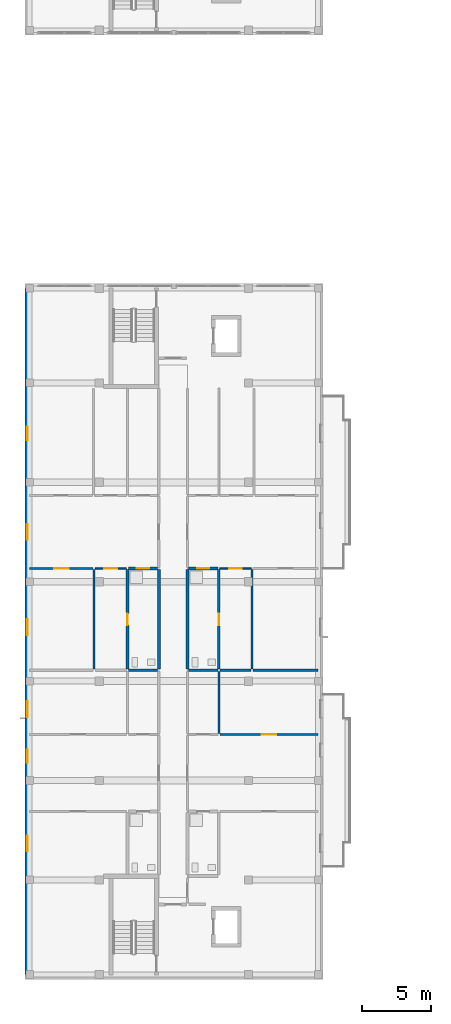
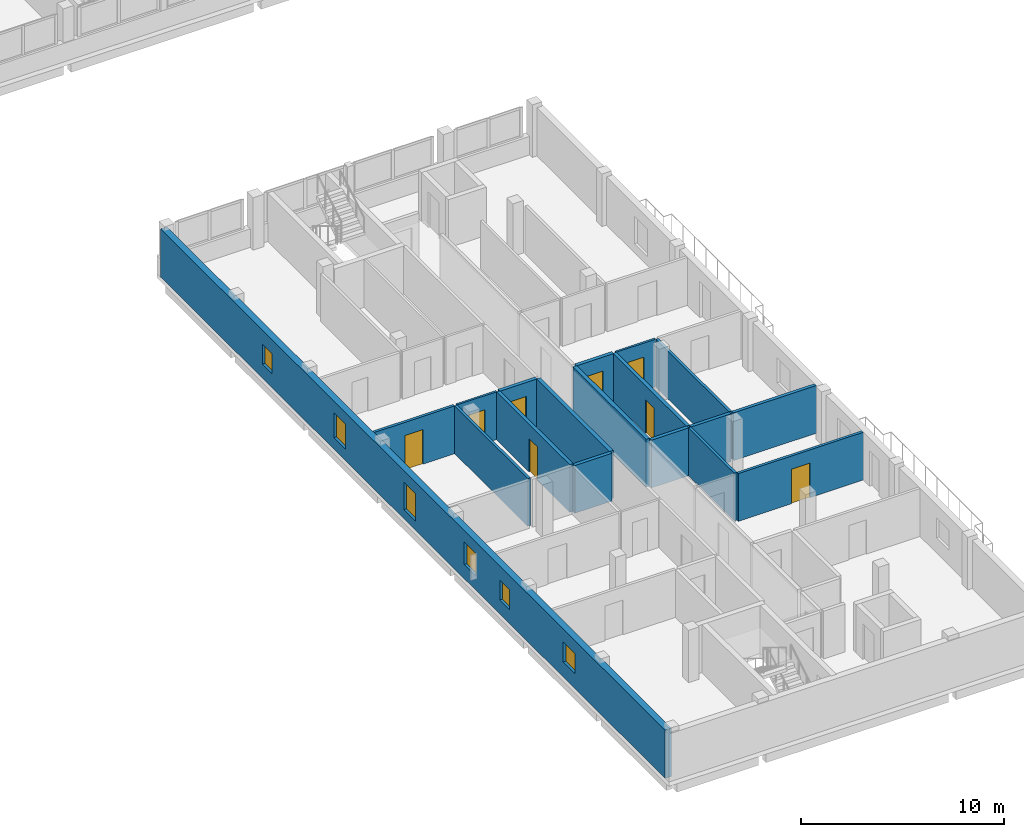
# One storey, part 14 of 41: 18 walls, 8 doors, 6 windows, 14 openings.
"""IFC4 building model written with IfcOpenShell, lengths in metres."""

from ifc_helpers import new_model, si_unit, derived_unit, direction, frame, frame_2d, origin, place, context, subcontext, project, spatial, rectangle, extrude, material, layer, layer_set, type_object, element, fill, save


model = new_model("IFC4")

# Units and contexts
model_context = context("Model", 3, precision=1e-05, world=origin(), true_north=direction((0.0, 1.0)))
body_context = subcontext(model_context, "Body", "Model", "MODEL_VIEW")
ifc_project = project(units=[si_unit("LENGTHUNIT", "METRE"), si_unit("AREAUNIT", "SQUARE_METRE"), si_unit("VOLUMEUNIT", "CUBIC_METRE"), si_unit("PLANEANGLEUNIT", "RADIAN"), si_unit("MASSUNIT", "GRAM", prefix="KILO"), derived_unit("THERMALTRANSMITTANCEUNIT", [(si_unit("MASSUNIT", "GRAM", prefix="KILO"), 1), (si_unit("TIMEUNIT", "SECOND"), -3), (si_unit("THERMODYNAMICTEMPERATUREUNIT", "KELVIN"), -1)])], contexts=[model_context])

# Site, building, storey
site_placement = place(None, origin())
site = spatial("IfcSite", under=ifc_project, at=site_placement, CompositionType="ELEMENT")
building_placement = place(site_placement, origin())
building = spatial("IfcBuilding", under=site, at=building_placement, Name="Ochrekiln Boulevard Commons", CompositionType="ELEMENT")
storey_placement = place(building_placement, frame((0.0, 0.0, 21.52490234375)))
storey = spatial("IfcBuildingStorey", under=building, at=storey_placement, Name="L06", CompositionType="ELEMENT", Elevation=21.52490234375)

# Wall, openings, windows
ifc_material_1 = material(Name="Iron-spot brown clinker brick masonry ASTM C216 Grade SW", Category="masonry")
ifc_layer_1 = layer(ifc_material_1, 0.364990234375)
ifc_layer_set_1 = layer_set([ifc_layer_1], Name="Iron-spot brown clinker brick masonry ASTM C216 Grade SW")
wall_type_1 = type_object("IfcWallType", Name="WL-EXT-IRON-365", PredefinedType="SOLIDWALL", material=ifc_layer_set_1)
wall_1_placement = place(storey_placement, frame((0.1826171875, 0.364990234375, 0.0), z_axis=(0.0, 0.0, 1.0), x_axis=(0.0, 1.0, 0.0)))
wall_1 = element("IfcWall", 1, at=wall_1_placement, inside=storey, type_object=wall_type_1, Name="Block D L06 W Exterior Wall", PredefinedType="SOLIDWALL", context=body_context, shape_type="SweptSolid", body=[
    extrude(rectangle(XDim=49.669921875, YDim=0.364990234375, at=frame_2d((24.8349609375, 0.0))), origin(), (0.0, 0.0, 1.0), 2.89013671875),
])
opening_1_placement = place(wall_1_placement, frame((15.324951171875, 0.0, 0.85009765625)))
opening_1 = element("IfcOpeningElement", 2, at=opening_1_placement, cuts=wall_1, Name="Opening W-01", PredefinedType="OPENING", context=body_context, shape_type="SweptSolid", body=[
    extrude(rectangle(XDim=0.949951171875, YDim=1.199951171875, at=frame_2d((0.47509765625, 0.60009765625))), frame((0.0, 0.1923828125, 0.0), z_axis=(0.0, -1.0, 0.0), x_axis=(1.0, 0.0, 0.0)), (0.0, 0.0, 1.0), 0.385009765625),
])
opening_2_placement = place(wall_1_placement, frame((8.89697265625, 0.0, 0.89990234375)))
opening_2 = element("IfcOpeningElement", 3, at=opening_2_placement, cuts=wall_1, Name="Opening W-11", PredefinedType="OPENING", context=body_context, shape_type="SweptSolid", body=[
    extrude(rectangle(XDim=1.14990234375, YDim=1.199951171875, at=frame_2d((0.574951171875, 0.60009765625))), frame((0.0, 0.1923828125, 0.0), z_axis=(0.0, -1.0, 0.0), x_axis=(1.0, 0.0, 0.0)), (0.0, 0.0, 1.0), 0.385009765625),
])
opening_3_placement = place(wall_1_placement, frame((18.635009765625, 0.0, 0.85498046875)))
opening_3 = element("IfcOpeningElement", 4, at=opening_3_placement, cuts=wall_1, Name="Opening W-12", PredefinedType="OPENING", context=body_context, shape_type="SweptSolid", body=[
    extrude(rectangle(XDim=1.14990234375, YDim=1.35009765625, at=frame_2d((0.574951171875, 0.675048828125))), frame((0.0, 0.1923828125, 0.0), z_axis=(0.0, -1.0, 0.0), x_axis=(1.0, 0.0, 0.0)), (0.0, 0.0, 1.0), 0.385009765625),
])
opening_4_placement = place(wall_1_placement, frame((31.4599609375, 0.0, 0.705078125)))
opening_4 = element("IfcOpeningElement", 5, at=opening_4_placement, cuts=wall_1, Name="Opening W-13", PredefinedType="OPENING", context=body_context, shape_type="SweptSolid", body=[
    extrude(rectangle(XDim=1.14990234375, YDim=1.5, at=frame_2d((0.574951171875, 0.75))), frame((0.0, 0.1923828125, 0.0), z_axis=(0.0, -1.0, 0.0), x_axis=(1.0, 0.0, 0.0)), (0.0, 0.0, 1.0), 0.385009765625),
])
opening_5_placement = place(wall_1_placement, frame((24.56201171875, 0.0, 0.554931640625)))
opening_5 = element("IfcOpeningElement", 6, at=opening_5_placement, cuts=wall_1, Name="Opening W-14", PredefinedType="OPENING", context=body_context, shape_type="SweptSolid", body=[
    extrude(rectangle(XDim=1.14990234375, YDim=1.64990234375, at=frame_2d((0.574951171875, 0.824951171875))), frame((0.0, 0.1923828125, 0.0), z_axis=(0.0, -1.0, 0.0), x_axis=(1.0, 0.0, 0.0)), (0.0, 0.0, 1.0), 0.385009765625),
])
opening_6_placement = place(wall_1_placement, frame((38.695068359375, 0.0, 0.85009765625)))
opening_6 = element("IfcOpeningElement", 7, at=opening_6_placement, cuts=wall_1, Name="Opening W-01", PredefinedType="OPENING", context=body_context, shape_type="SweptSolid", body=[
    extrude(rectangle(XDim=0.949951171875, YDim=1.199951171875, at=frame_2d((0.47509765625, 0.60009765625))), frame((0.0, 0.1923828125, 0.0), z_axis=(0.0, -1.0, 0.0), x_axis=(1.0, 0.0, 0.0)), (0.0, 0.0, 1.0), 0.385009765625),
])
ifc_material_2 = material(Name="Thermally broken aluminium-clad oak frame", Category="aluminium")
window_type_1 = type_object("IfcWindowType", Name="WIN-EXT-01", PartitioningType="SINGLE_PANEL", PredefinedType="WINDOW", material=ifc_material_2)
window_1_placement = place(opening_1_placement, origin())
window_1 = element("IfcWindow", 8, at=window_1_placement, inside=storey, type_object=window_type_1, Name="Block D L06 Punched Masonry Window W-01", OverallHeight=1.199951171875, OverallWidth=0.949951171875, PartitioningType="SINGLE_PANEL", PredefinedType="WINDOW", context=body_context, shape_type="SweptSolid", body=[
    extrude(rectangle(XDim=0.949951171875, YDim=1.199951171875, at=frame_2d((0.47509765625, 0.60009765625))), frame((0.0, 0.030029296875, 0.0), z_axis=(0.0, -1.0, 0.0), x_axis=(1.0, 0.0, 0.0)), (0.0, 0.0, 1.0), 0.06005859375),
])
fill(opening_1, window_1)
window_2_placement = place(opening_6_placement, origin())
window_2 = element("IfcWindow", 9, at=window_2_placement, inside=storey, type_object=window_type_1, Name="Block D L06 Punched Masonry Window W-01", OverallHeight=1.199951171875, OverallWidth=0.949951171875, PartitioningType="SINGLE_PANEL", PredefinedType="WINDOW", context=body_context, shape_type="SweptSolid", body=[
    extrude(rectangle(XDim=0.949951171875, YDim=1.199951171875, at=frame_2d((0.47509765625, 0.60009765625))), frame((0.0, 0.030029296875, 0.0), z_axis=(0.0, -1.0, 0.0), x_axis=(1.0, 0.0, 0.0)), (0.0, 0.0, 1.0), 0.06005859375),
])
fill(opening_6, window_2)
window_type_2 = type_object("IfcWindowType", Name="WIN-EXT-11", PartitioningType="SINGLE_PANEL", PredefinedType="WINDOW", material=ifc_material_2)
window_3_placement = place(opening_2_placement, origin())
window_3 = element("IfcWindow", 10, at=window_3_placement, inside=storey, type_object=window_type_2, Name="Block D L06 Punched Masonry Window W-11", OverallHeight=1.199951171875, OverallWidth=1.14990234375, PartitioningType="SINGLE_PANEL", PredefinedType="WINDOW", context=body_context, shape_type="SweptSolid", body=[
    extrude(rectangle(XDim=1.14990234375, YDim=1.199951171875, at=frame_2d((0.574951171875, 0.60009765625))), frame((0.0, 0.030029296875, 0.0), z_axis=(0.0, -1.0, 0.0), x_axis=(1.0, 0.0, 0.0)), (0.0, 0.0, 1.0), 0.06005859375),
])
fill(opening_2, window_3)
window_type_3 = type_object("IfcWindowType", Name="WIN-EXT-12", PartitioningType="SINGLE_PANEL", PredefinedType="WINDOW", material=ifc_material_2)
window_4_placement = place(opening_3_placement, origin())
window_4 = element("IfcWindow", 11, at=window_4_placement, inside=storey, type_object=window_type_3, Name="Block D L06 Punched Masonry Window W-12", OverallHeight=1.35009765625, OverallWidth=1.14990234375, PartitioningType="SINGLE_PANEL", PredefinedType="WINDOW", context=body_context, shape_type="SweptSolid", body=[
    extrude(rectangle(XDim=1.14990234375, YDim=1.35009765625, at=frame_2d((0.574951171875, 0.675048828125))), frame((0.0, 0.030029296875, 0.0), z_axis=(0.0, -1.0, 0.0), x_axis=(1.0, 0.0, 0.0)), (0.0, 0.0, 1.0), 0.06005859375),
])
fill(opening_3, window_4)
window_type_4 = type_object("IfcWindowType", Name="WIN-EXT-13", PartitioningType="SINGLE_PANEL", PredefinedType="WINDOW", material=ifc_material_2)
window_5_placement = place(opening_4_placement, origin())
window_5 = element("IfcWindow", 12, at=window_5_placement, inside=storey, type_object=window_type_4, Name="Block D L06 Punched Masonry Window W-13", OverallHeight=1.5, OverallWidth=1.14990234375, PartitioningType="SINGLE_PANEL", PredefinedType="WINDOW", context=body_context, shape_type="SweptSolid", body=[
    extrude(rectangle(XDim=1.14990234375, YDim=1.5, at=frame_2d((0.574951171875, 0.75))), frame((0.0, 0.030029296875, 0.0), z_axis=(0.0, -1.0, 0.0), x_axis=(1.0, 0.0, 0.0)), (0.0, 0.0, 1.0), 0.06005859375),
])
fill(opening_4, window_5)
window_type_5 = type_object("IfcWindowType", Name="WIN-EXT-14", PartitioningType="SINGLE_PANEL", PredefinedType="WINDOW", material=ifc_material_2)
window_6_placement = place(opening_5_placement, origin())
window_6 = element("IfcWindow", 13, at=window_6_placement, inside=storey, type_object=window_type_5, Name="Block D L06 Punched Masonry Window W-14", OverallHeight=1.64990234375, OverallWidth=1.14990234375, PartitioningType="SINGLE_PANEL", PredefinedType="WINDOW", context=body_context, shape_type="SweptSolid", body=[
    extrude(rectangle(XDim=1.14990234375, YDim=1.64990234375, at=frame_2d((0.574951171875, 0.824951171875))), frame((0.0, 0.030029296875, 0.0), z_axis=(0.0, -1.0, 0.0), x_axis=(1.0, 0.0, 0.0)), (0.0, 0.0, 1.0), 0.06005859375),
])
fill(opening_5, window_6)

# Wall
ifc_material_3 = material(Name="Moisture-resistant cementitious tile backer wall")
ifc_layer_2 = layer(ifc_material_3, 0.199951171875)
ifc_layer_set_2 = layer_set([ifc_layer_2], Name="Moisture-resistant cementitious tile backer wall")
wall_type_2 = type_object("IfcWallType", Name="WL-PLM-200", PredefinedType="PLUMBINGWALL", material=ifc_layer_set_2)
wall_2_placement = place(storey_placement, frame((7.52001953125, 22.384033203125, 0.0), z_axis=(0.0, 0.0, 1.0), x_axis=(1.0, 0.0, 0.0)))
element("IfcWall", 14, at=wall_2_placement, inside=storey, type_object=wall_type_2, Name="L06 Interior Wall W-PW200", PredefinedType="PLUMBINGWALL", context=body_context, shape_type="SweptSolid", body=[
    extrude(rectangle(XDim=2.10791015625, YDim=0.199951171875, at=frame_2d((1.053955078125, 0.0))), origin(), (0.0, 0.0, 1.0), 2.8701171875),
])

# Wall, opening, door
wall_3_placement = place(storey_placement, frame((7.52001953125, 29.75, 0.0), z_axis=(0.0, 0.0, 1.0), x_axis=(1.0, 0.0, 0.0)))
wall_3 = element("IfcWall", 15, at=wall_3_placement, inside=storey, type_object=wall_type_2, Name="L06 Interior Wall W-PW200", PredefinedType="PLUMBINGWALL", context=body_context, shape_type="SweptSolid", body=[
    extrude(rectangle(XDim=2.10791015625, YDim=0.199951171875, at=frame_2d((1.053955078125, 0.0))), origin(), (0.0, 0.0, 1.0), 2.8701171875),
])
opening_7_placement = place(wall_3_placement, frame((0.60498046875, 0.0, 0.0)))
opening_7 = element("IfcOpeningElement", 16, at=opening_7_placement, cuts=wall_3, Name="Opening D-L06-878", PredefinedType="OPENING", context=body_context, shape_type="SweptSolid", body=[
    extrude(rectangle(XDim=0.889892578125, YDim=2.030029296875, at=frame_2d((0.44482421875, 1.01513671875))), frame((0.0, 0.10986328125, 0.0), z_axis=(0.0, -1.0, 0.0), x_axis=(1.0, 0.0, 0.0)), (0.0, 0.0, 1.0), 0.219970703125),
])
ifc_material_4 = material(Name="Solid core architectural oak door leaf")
door_type_1 = type_object("IfcDoorType", Name="DR-INT-BTH-089", OperationType="NOTDEFINED", PredefinedType="DOOR", material=ifc_material_4)
door_1_placement = place(opening_7_placement, frame((0.889892578125, 0.0, 0.0), z_axis=(0.0, 0.0, 1.0), x_axis=(-1.0, 0.0, 0.0)))
door_1 = element("IfcDoor", 17, at=door_1_placement, inside=storey, type_object=door_type_1, Name="L06 Interior Door to Apartment Bathroom", OperationType="SINGLE_SWING_RIGHT", OverallHeight=2.030029296875, OverallWidth=0.889892578125, PredefinedType="DOOR", context=body_context, shape_type="SweptSolid", body=[
    extrude(rectangle(XDim=0.889892578125, YDim=2.030029296875, at=frame_2d((0.44482421875, 1.01513671875))), frame((0.0, 0.02490234375, 0.0), z_axis=(0.0, -1.0, 0.0), x_axis=(1.0, 0.0, 0.0)), (0.0, 0.0, 1.0), 0.050048828125),
])
fill(opening_7, door_1)

wall_4_placement = place(storey_placement, frame((7.43994140625, 22.47412109375, 0.0), z_axis=(0.0, 0.0, 1.0), x_axis=(0.0, 1.0, 0.0)))
wall_4 = element("IfcWall", 18, at=wall_4_placement, inside=storey, type_object=wall_type_2, Name="L06 Interior Wall W-PW200", PredefinedType="PLUMBINGWALL", context=body_context, shape_type="SweptSolid", body=[
    extrude(rectangle(XDim=7.2158203125, YDim=0.199951171875, at=frame_2d((3.60791015625, 0.0))), origin(), (0.0, 0.0, 1.0), 2.8701171875),
])
opening_8_placement = place(wall_4_placement, frame((3.173095703125, 0.0, 0.0)))
opening_8 = element("IfcOpeningElement", 19, at=opening_8_placement, cuts=wall_4, Name="Opening D-L06-884", PredefinedType="OPENING", context=body_context, shape_type="SweptSolid", body=[
    extrude(rectangle(XDim=0.85009765625, YDim=2.010009765625, at=frame_2d((0.425048828125, 1.0048828125))), frame((0.0, 0.10986328125, 0.0), z_axis=(0.0, -1.0, 0.0), x_axis=(1.0, 0.0, 0.0)), (0.0, 0.0, 1.0), 0.219970703125),
])
door_type_2 = type_object("IfcDoorType", Name="DR-INT-KIT-085", OperationType="NOTDEFINED", PredefinedType="DOOR", material=ifc_material_4)
door_2_placement = place(opening_8_placement, frame((0.85009765625, 0.0, 0.0), z_axis=(0.0, 0.0, 1.0), x_axis=(-1.0, 0.0, 0.0)))
door_2 = element("IfcDoor", 20, at=door_2_placement, inside=storey, type_object=door_type_2, Name="L06 Interior Door to Apartment Bathroom", OperationType="SINGLE_SWING_RIGHT", OverallHeight=2.010009765625, OverallWidth=0.85009765625, PredefinedType="DOOR", context=body_context, shape_type="SweptSolid", body=[
    extrude(rectangle(XDim=0.85009765625, YDim=2.010009765625, at=frame_2d((0.425048828125, 1.0048828125))), frame((0.0, 0.02490234375, 0.0), z_axis=(0.0, -1.0, 0.0), x_axis=(1.0, 0.0, 0.0)), (0.0, 0.0, 1.0), 0.050048828125),
])
fill(opening_8, door_2)

# Wall
wall_5_placement = place(storey_placement, frame((11.8720703125, 22.384033203125, 0.0), z_axis=(0.0, 0.0, 1.0), x_axis=(1.0, 0.0, 0.0)))
element("IfcWall", 21, at=wall_5_placement, inside=storey, type_object=wall_type_2, Name="L06 Interior Wall W-PW200", PredefinedType="PLUMBINGWALL", context=body_context, shape_type="SweptSolid", body=[
    extrude(rectangle(XDim=2.113037109375, YDim=0.199951171875, at=frame_2d((1.056640625, 0.0))), origin(), (0.0, 0.0, 1.0), 2.8701171875),
])

# Wall, opening, door
wall_6_placement = place(storey_placement, frame((11.8720703125, 29.75, 0.0), z_axis=(0.0, 0.0, 1.0), x_axis=(1.0, 0.0, 0.0)))
wall_6 = element("IfcWall", 22, at=wall_6_placement, inside=storey, type_object=wall_type_2, Name="L06 Interior Wall W-PW200", PredefinedType="PLUMBINGWALL", context=body_context, shape_type="SweptSolid", body=[
    extrude(rectangle(XDim=2.10791015625, YDim=0.199951171875, at=frame_2d((1.053955078125, 0.0))), origin(), (0.0, 0.0, 1.0), 2.8701171875),
])
opening_9_placement = place(wall_6_placement, frame((0.613037109375, 0.0, 0.0)))
opening_9 = element("IfcOpeningElement", 23, at=opening_9_placement, cuts=wall_6, Name="Opening D-L06-889", PredefinedType="OPENING", context=body_context, shape_type="SweptSolid", body=[
    extrude(rectangle(XDim=0.889892578125, YDim=2.030029296875, at=frame_2d((0.44482421875, 1.01513671875))), frame((0.0, 0.10986328125, 0.0), z_axis=(0.0, -1.0, 0.0), x_axis=(1.0, 0.0, 0.0)), (0.0, 0.0, 1.0), 0.219970703125),
])
door_3_placement = place(opening_9_placement, frame((0.889892578125, 0.0, 0.0), z_axis=(0.0, 0.0, 1.0), x_axis=(-1.0, 0.0, 0.0)))
door_3 = element("IfcDoor", 24, at=door_3_placement, inside=storey, type_object=door_type_1, Name="L06 Interior Door to Apartment Bathroom", OperationType="SINGLE_SWING_LEFT", OverallHeight=2.030029296875, OverallWidth=0.889892578125, PredefinedType="DOOR", context=body_context, shape_type="SweptSolid", body=[
    extrude(rectangle(XDim=0.889892578125, YDim=2.030029296875, at=frame_2d((0.44482421875, 1.01513671875))), frame((0.0, 0.02490234375, 0.0), z_axis=(0.0, -1.0, 0.0), x_axis=(1.0, 0.0, 0.0)), (0.0, 0.0, 1.0), 0.050048828125),
])
fill(opening_9, door_3)

wall_7_placement = place(storey_placement, frame((14.06005859375, 22.47412109375, 0.0), z_axis=(0.0, 0.0, 1.0), x_axis=(0.0, 1.0, 0.0)))
wall_7 = element("IfcWall", 25, at=wall_7_placement, inside=storey, type_object=wall_type_2, Name="L06 Interior Wall W-PW200", PredefinedType="PLUMBINGWALL", context=body_context, shape_type="SweptSolid", body=[
    extrude(rectangle(XDim=7.2158203125, YDim=0.199951171875, at=frame_2d((3.60791015625, 0.0))), origin(), (0.0, 0.0, 1.0), 2.8701171875),
])
opening_10_placement = place(wall_7_placement, frame((3.173095703125, 0.0, 0.0)))
opening_10 = element("IfcOpeningElement", 26, at=opening_10_placement, cuts=wall_7, Name="Opening D-L06-895", PredefinedType="OPENING", context=body_context, shape_type="SweptSolid", body=[
    extrude(rectangle(XDim=0.85009765625, YDim=2.010009765625, at=frame_2d((0.425048828125, 1.0048828125))), frame((0.0, 0.10986328125, 0.0), z_axis=(0.0, -1.0, 0.0), x_axis=(1.0, 0.0, 0.0)), (0.0, 0.0, 1.0), 0.219970703125),
])
door_4_placement = place(opening_10_placement, origin())
door_4 = element("IfcDoor", 27, at=door_4_placement, inside=storey, type_object=door_type_2, Name="L06 Interior Door to Apartment Bathroom", OperationType="SINGLE_SWING_LEFT", OverallHeight=2.010009765625, OverallWidth=0.85009765625, PredefinedType="DOOR", context=body_context, shape_type="SweptSolid", body=[
    extrude(rectangle(XDim=0.85009765625, YDim=2.010009765625, at=frame_2d((0.425048828125, 1.0048828125))), frame((0.0, 0.02490234375, 0.0), z_axis=(0.0, -1.0, 0.0), x_axis=(1.0, 0.0, 0.0)), (0.0, 0.0, 1.0), 0.050048828125),
])
fill(opening_10, door_4)

# Walls
ifc_layer_3 = layer(ifc_material_3, 0.219970703125)
ifc_layer_set_3 = layer_set([ifc_layer_3], Name="Moisture-resistant cementitious tile backer wall")
wall_type_3 = type_object("IfcWallType", Name="WL-PLM-220", PredefinedType="PLUMBINGWALL", material=ifc_layer_set_3)
for number, where, z_axis, x_axis, name in (
    (28, (9.7099609375, 22.47412109375, 0.0), (0.0, 0.0, 1.0), (0.0, 1.0, 0.0), "L06 Interior Wall W-PW220"),
    (29, (11.7900390625, 22.47412109375, 0.0), (0.0, 0.0, 1.0), (0.0, 1.0, 0.0), "L06 Interior Wall W-PW220"),
):
    element("IfcWall", number, at=place(storey_placement, frame(where, z_axis=z_axis, x_axis=x_axis)), inside=storey, type_object=wall_type_3, Name=name, PredefinedType="PLUMBINGWALL", context=body_context, shape_type="SweptSolid", body=[
        extrude(rectangle(XDim=7.19580078125, YDim=0.219970703125, at=frame_2d((3.597900390625, 0.0))), origin(), (0.0, 0.0, 1.0), 2.8701171875),
    ])
ifc_material_5 = material(Name="Fire-rated Type X gypsum board on steel studs", Category="steel")
ifc_layer_4 = layer(ifc_material_5, 0.179931640625)
ifc_layer_set_4 = layer_set([ifc_layer_4], Name="Fire-rated Type X gypsum board on steel studs")
wall_type_4 = type_object("IfcWallType", Name="WL-PT-DEM-180", PredefinedType="PARTITIONING", material=ifc_layer_set_4)
wall_8_placement = place(storey_placement, frame((16.550048828125, 22.384033203125, 0.0), z_axis=(0.0, 0.0, 1.0), x_axis=(1.0, 0.0, 0.0)))
element("IfcWall", 30, at=wall_8_placement, inside=storey, type_object=wall_type_4, Name="L06 Interior Wall W-PD180", PredefinedType="PARTITIONING", context=body_context, shape_type="SweptSolid", body=[
    extrude(rectangle(XDim=4.699951171875, YDim=0.179931640625, at=frame_2d((2.35009765625, 0.0))), origin(), (0.0, 0.0, 1.0), 2.8701171875),
])
wall_9_placement = place(storey_placement, frame((14.135009765625, 22.384033203125, 0.0), z_axis=(0.0, 0.0, 1.0), x_axis=(1.0, 0.0, 0.0)))
element("IfcWall", 31, at=wall_9_placement, inside=storey, type_object=wall_type_4, Name="L06 Interior Wall W-PD180", PredefinedType="PARTITIONING", context=body_context, shape_type="SweptSolid", body=[
    extrude(rectangle(XDim=2.2548828125, YDim=0.179931640625, at=frame_2d((1.12744140625, 0.0))), origin(), (0.0, 0.0, 1.0), 2.8701171875),
])

# Wall, opening, door
ifc_layer_5 = layer(ifc_material_5, 0.1201171875)
ifc_layer_set_5 = layer_set([ifc_layer_5], Name="Fire-rated Type X gypsum board on steel studs")
wall_type_5 = type_object("IfcWallType", Name="WL-PT-LGT-120", PredefinedType="PARTITIONING", material=ifc_layer_set_5)
wall_10_placement = place(storey_placement, frame((5.110107421875, 29.75, 0.0), z_axis=(0.0, 0.0, 1.0), x_axis=(1.0, 0.0, 0.0)))
wall_10 = element("IfcWall", 32, at=wall_10_placement, inside=storey, type_object=wall_type_5, Name="L06 Interior Wall W-PL120", PredefinedType="PARTITIONING", context=body_context, shape_type="SweptSolid", body=[
    extrude(rectangle(XDim=2.25, YDim=0.1201171875, at=frame_2d((1.125, 0.0))), origin(), (0.0, 0.0, 1.0), 2.8701171875),
])
opening_11_placement = place(wall_10_placement, frame((0.6650390625, 0.0, 0.0)))
opening_11 = element("IfcOpeningElement", 33, at=opening_11_placement, cuts=wall_10, Name="Opening D-L06-881", PredefinedType="OPENING", context=body_context, shape_type="SweptSolid", body=[
    extrude(rectangle(XDim=0.919921875, YDim=2.02001953125, at=frame_2d((0.4599609375, 1.010009765625))), frame((0.0, 0.070068359375, 0.0), z_axis=(0.0, -1.0, 0.0), x_axis=(1.0, 0.0, 0.0)), (0.0, 0.0, 1.0), 0.14013671875),
])
door_type_3 = type_object("IfcDoorType", Name="DR-INT-KIT-092", OperationType="NOTDEFINED", PredefinedType="DOOR", material=ifc_material_4)
door_5_placement = place(opening_11_placement, frame((0.919921875, 0.0, 0.0), z_axis=(0.0, 0.0, 1.0), x_axis=(-1.0, 0.0, 0.0)))
door_5 = element("IfcDoor", 34, at=door_5_placement, inside=storey, type_object=door_type_3, Name="L06 Interior Door to Apartment Walk-In Wardrobe", OperationType="SINGLE_SWING_LEFT", OverallHeight=2.02001953125, OverallWidth=0.919921875, PredefinedType="DOOR", context=body_context, shape_type="SweptSolid", body=[
    extrude(rectangle(XDim=0.919921875, YDim=2.02001953125, at=frame_2d((0.4599609375, 1.010009765625))), frame((0.0, 0.02490234375, 0.0), z_axis=(0.0, -1.0, 0.0), x_axis=(1.0, 0.0, 0.0)), (0.0, 0.0, 1.0), 0.050048828125),
])
fill(opening_11, door_5)

wall_11_placement = place(storey_placement, frame((14.139892578125, 29.75, 0.0), z_axis=(0.0, 0.0, 1.0), x_axis=(1.0, 0.0, 0.0)))
wall_11 = element("IfcWall", 35, at=wall_11_placement, inside=storey, type_object=wall_type_5, Name="L06 Interior Wall W-PL120", PredefinedType="PARTITIONING", context=body_context, shape_type="SweptSolid", body=[
    extrude(rectangle(XDim=2.25, YDim=0.1201171875, at=frame_2d((1.125, 0.0))), origin(), (0.0, 0.0, 1.0), 2.8701171875),
])
opening_12_placement = place(wall_11_placement, frame((0.6650390625, 0.0, 0.0)))
opening_12 = element("IfcOpeningElement", 36, at=opening_12_placement, cuts=wall_11, Name="Opening D-L06-892", PredefinedType="OPENING", context=body_context, shape_type="SweptSolid", body=[
    extrude(rectangle(XDim=0.919921875, YDim=2.02001953125, at=frame_2d((0.4599609375, 1.010009765625))), frame((0.0, 0.070068359375, 0.0), z_axis=(0.0, -1.0, 0.0), x_axis=(1.0, 0.0, 0.0)), (0.0, 0.0, 1.0), 0.14013671875),
])
door_6_placement = place(opening_12_placement, frame((0.919921875, 0.0, 0.0), z_axis=(0.0, 0.0, 1.0), x_axis=(-1.0, 0.0, 0.0)))
door_6 = element("IfcDoor", 37, at=door_6_placement, inside=storey, type_object=door_type_3, Name="L06 Interior Door to Apartment Walk-In Wardrobe", OperationType="SINGLE_SWING_RIGHT", OverallHeight=2.02001953125, OverallWidth=0.919921875, PredefinedType="DOOR", context=body_context, shape_type="SweptSolid", body=[
    extrude(rectangle(XDim=0.919921875, YDim=2.02001953125, at=frame_2d((0.4599609375, 1.010009765625))), frame((0.0, 0.02490234375, 0.0), z_axis=(0.0, -1.0, 0.0), x_axis=(1.0, 0.0, 0.0)), (0.0, 0.0, 1.0), 0.050048828125),
])
fill(opening_12, door_6)

ifc_layer_6 = layer(ifc_material_5, 0.14990234375)
ifc_layer_set_6 = layer_set([ifc_layer_6], Name="Fire-rated Type X gypsum board on steel studs")
wall_type_6 = type_object("IfcWallType", Name="WL-PT-STD-150", PredefinedType="PARTITIONING", material=ifc_layer_set_6)
wall_12_placement = place(storey_placement, frame((0.35009765625, 29.75, 0.0), z_axis=(0.0, 0.0, 1.0), x_axis=(1.0, 0.0, 0.0)))
wall_12 = element("IfcWall", 38, at=wall_12_placement, inside=storey, type_object=wall_type_6, Name="L06 Interior Wall W-PS150", PredefinedType="PARTITIONING", context=body_context, shape_type="SweptSolid", body=[
    extrude(rectangle(XDim=4.599853515625, YDim=0.14990234375, at=frame_2d((2.2998046875, 0.0))), origin(), (0.0, 0.0, 1.0), 2.8701171875),
])
opening_13_placement = place(wall_12_placement, frame((1.780029296875, 0.0, 0.0)))
opening_13 = element("IfcOpeningElement", 39, at=opening_13_placement, cuts=wall_12, Name="Opening D-L06-880", PredefinedType="OPENING", context=body_context, shape_type="SweptSolid", body=[
    extrude(rectangle(XDim=1.0400390625, YDim=2.080078125, at=frame_2d((0.52001953125, 1.0400390625))), frame((0.0, 0.0849609375, 0.0), z_axis=(0.0, -1.0, 0.0), x_axis=(1.0, 0.0, 0.0)), (0.0, 0.0, 1.0), 0.169921875),
])
door_type_4 = type_object("IfcDoorType", Name="DR-INT-BED-104", OperationType="NOTDEFINED", PredefinedType="DOOR", material=ifc_material_4)
door_7_placement = place(opening_13_placement, frame((1.0400390625, 0.0, 0.0), z_axis=(0.0, 0.0, 1.0), x_axis=(-1.0, 0.0, 0.0)))
door_7 = element("IfcDoor", 40, at=door_7_placement, inside=storey, type_object=door_type_4, Name="L06 Interior Door to Primary Apartment Bedroom", OperationType="SINGLE_SWING_RIGHT", OverallHeight=2.080078125, OverallWidth=1.0400390625, PredefinedType="DOOR", context=body_context, shape_type="SweptSolid", body=[
    extrude(rectangle(XDim=1.0400390625, YDim=2.080078125, at=frame_2d((0.52001953125, 1.0400390625))), frame((0.0, 0.02490234375, 0.0), z_axis=(0.0, -1.0, 0.0), x_axis=(1.0, 0.0, 0.0)), (0.0, 0.0, 1.0), 0.050048828125),
])
fill(opening_13, door_7)

# Wall
wall_13_placement = place(storey_placement, frame((5.030029296875, 22.47412109375, 0.0), z_axis=(0.0, 0.0, 1.0), x_axis=(0.0, 1.0, 0.0)))
element("IfcWall", 41, at=wall_13_placement, inside=storey, type_object=wall_type_6, Name="L06 Interior Wall W-PS150", PredefinedType="PARTITIONING", context=body_context, shape_type="SweptSolid", body=[
    extrude(rectangle(XDim=7.2158203125, YDim=0.14990234375, at=frame_2d((3.60791015625, 0.0))), origin(), (0.0, 0.0, 1.0), 2.8701171875),
])

# Wall, opening, door
wall_14_placement = place(storey_placement, frame((14.139892578125, 17.739013671875, 0.0), z_axis=(0.0, 0.0, 1.0), x_axis=(1.0, 0.0, 0.0)))
wall_14 = element("IfcWall", 42, at=wall_14_placement, inside=storey, type_object=wall_type_6, Name="L06 Interior Wall W-PS150", PredefinedType="PARTITIONING", context=body_context, shape_type="SweptSolid", body=[
    extrude(rectangle(XDim=7.110107421875, YDim=0.14990234375, at=frame_2d((3.55517578125, 0.0))), origin(), (0.0, 0.0, 1.0), 2.8701171875),
])
opening_14_placement = place(wall_14_placement, frame((3.034912109375, 0.0, 0.0)))
opening_14 = element("IfcOpeningElement", 43, at=opening_14_placement, cuts=wall_14, Name="Opening D-L06-888", PredefinedType="OPENING", context=body_context, shape_type="SweptSolid", body=[
    extrude(rectangle(XDim=1.0400390625, YDim=2.080078125, at=frame_2d((0.52001953125, 1.0400390625))), frame((0.0, 0.0849609375, 0.0), z_axis=(0.0, -1.0, 0.0), x_axis=(1.0, 0.0, 0.0)), (0.0, 0.0, 1.0), 0.169921875),
])
door_8_placement = place(opening_14_placement, origin())
door_8 = element("IfcDoor", 44, at=door_8_placement, inside=storey, type_object=door_type_4, Name="L06 Interior Door to Secondary Apartment Bedroom", OperationType="SINGLE_SWING_RIGHT", OverallHeight=2.080078125, OverallWidth=1.0400390625, PredefinedType="DOOR", context=body_context, shape_type="SweptSolid", body=[
    extrude(rectangle(XDim=1.0400390625, YDim=2.080078125, at=frame_2d((0.52001953125, 1.0400390625))), frame((0.0, 0.02490234375, 0.0), z_axis=(0.0, -1.0, 0.0), x_axis=(1.0, 0.0, 0.0)), (0.0, 0.0, 1.0), 0.050048828125),
])
fill(opening_14, door_8)

# Walls
wall_15_placement = place(storey_placement, frame((14.06005859375, 17.799072265625, 0.0), z_axis=(0.0, 0.0, 1.0), x_axis=(0.0, 1.0, 0.0)))
element("IfcWall", 45, at=wall_15_placement, inside=storey, type_object=wall_type_6, Name="L06 Interior Wall W-PS150", PredefinedType="PARTITIONING", context=body_context, shape_type="SweptSolid", body=[
    extrude(rectangle(XDim=4.494873046875, YDim=0.14990234375, at=frame_2d((2.24755859375, 0.0))), origin(), (0.0, 0.0, 1.0), 2.8701171875),
])
wall_16_placement = place(storey_placement, frame((16.469970703125, 22.47412109375, 0.0), z_axis=(0.0, 0.0, 1.0), x_axis=(0.0, 1.0, 0.0)))
element("IfcWall", 46, at=wall_16_placement, inside=storey, type_object=wall_type_6, Name="L06 Interior Wall W-PS150", PredefinedType="PARTITIONING", context=body_context, shape_type="SweptSolid", body=[
    extrude(rectangle(XDim=7.2158203125, YDim=0.14990234375, at=frame_2d((3.60791015625, 0.0))), origin(), (0.0, 0.0, 1.0), 2.8701171875),
])

save(model, "model.ifc")
